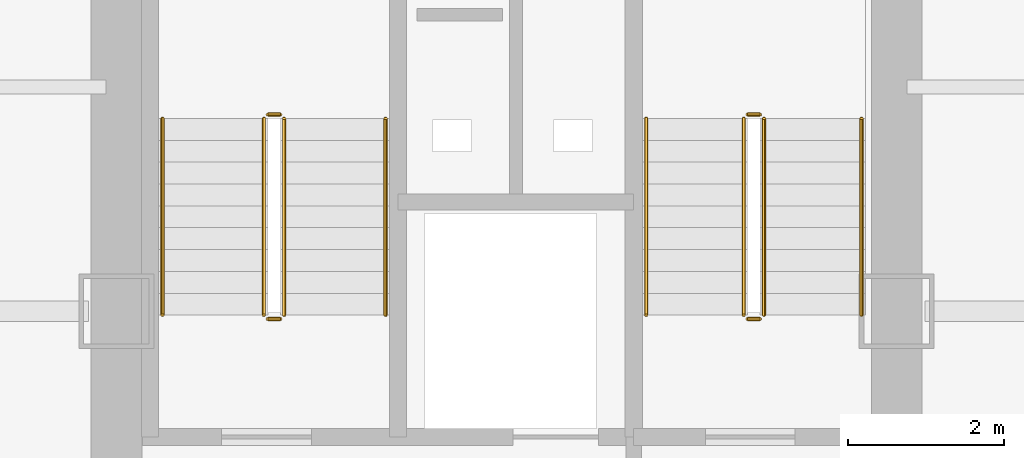
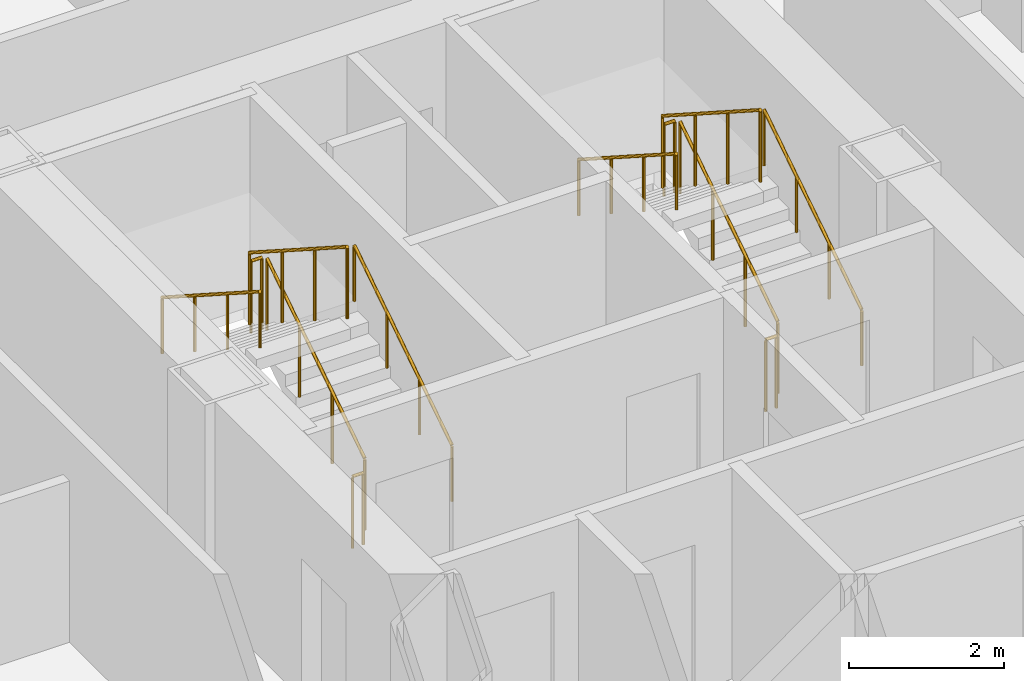
# One storey, part 20 of 21: 12 railings.
"""IFC4 building model written with IfcOpenShell, lengths in metres."""

from ifc_helpers import new_model, si_unit, direction, frame, origin, origin_2d, place, context, subcontext, project, spatial, circle, extrude, material, type_object, element, save


model = new_model("IFC4")

# Units and contexts
model_context = context("Model", 3, precision=1e-05, world=origin(), true_north=direction((0.0, 1.0)))
body_context = subcontext(model_context, "Body", "Model", "MODEL_VIEW")
ifc_project = project(units=[si_unit("LENGTHUNIT", "METRE"), si_unit("AREAUNIT", "SQUARE_METRE"), si_unit("VOLUMEUNIT", "CUBIC_METRE"), si_unit("PLANEANGLEUNIT", "RADIAN"), si_unit("MASSUNIT", "GRAM", prefix="KILO")], contexts=[model_context])

# Site, building, storey
site_placement = place(None, origin())
site = spatial("IfcSite", under=ifc_project, at=site_placement, CompositionType="ELEMENT")
building_placement = place(site_placement, origin())
building = spatial("IfcBuilding", under=site, at=building_placement, Name="Kolveth Station Tower", CompositionType="ELEMENT")
storey_placement = place(building_placement, frame((0.0, 0.0, 36.89990234375)))
storey = spatial("IfcBuildingStorey", under=building, at=storey_placement, Name="L09", CompositionType="ELEMENT", Elevation=36.89990234375)

# Railings
ifc_material_1 = material(Name="Painted Steel S355 balustrade", Category="steel")
railing_type_1 = type_object("IfcRailingType", Name="Guard_GR2", PredefinedType="BALUSTRADE", material=ifc_material_1)
railing_1_placement = place(storey_placement, frame((20.64990234375, 22.949951171875, 0.18017578125)))
element("IfcRailing", 1, at=railing_1_placement, inside=storey, type_object=railing_type_1, Name="L09 ST1 stair guard 1", PredefinedType="BALUSTRADE", context=body_context, shape_type="SweptSolid", body=[
    extrude(circle(Radius=0.02392578125, at=origin_2d()), frame((0.0, 0.0, 1.1259765625), z_axis=(0.0, 0.841199657755, 0.540724639528), x_axis=(-1.0, 0.0, 0.0)), (0.0, 0.0, 1.0), 2.995849609375),
    extrude(circle(Radius=0.02099609375, at=origin_2d()), origin(), (0.0, 0.0, 1.0), 1.101806640625),
    extrude(circle(Radius=0.02099609375, at=origin_2d()), frame((0.0, 0.840087890625, 0.5400390625)), (0.0, 0.0, 1.0), 1.101806640625),
    extrude(circle(Radius=0.02099609375, at=origin_2d()), frame((0.0, 1.679931640625, 1.079833984375)), (0.0, 0.0, 1.0), 1.101806640625),
    extrude(circle(Radius=0.02099609375, at=origin_2d()), frame((0.0, 2.52001953125, 1.619873046875)), (0.0, 0.0, 1.0), 1.101806640625),
])
railing_2_placement = place(storey_placement, frame((20.60009765625, 25.52001953125, 1.800048828125)))
element("IfcRailing", 2, at=railing_2_placement, inside=storey, type_object=railing_type_1, Name="L09 ST1 stair guard 2", PredefinedType="BALUSTRADE", context=body_context, shape_type="SweptSolid", body=[
    extrude(circle(Radius=0.02392578125, at=origin_2d()), frame((0.0, 0.0, 1.1259765625), z_axis=(-1.0, 0.0, 0.0), x_axis=(0.0, -1.0, 0.0)), (0.0, 0.0, 1.0), 0.16015625),
    extrude(circle(Radius=0.02099609375, at=origin_2d()), origin(), (0.0, 0.0, 1.0), 1.101806640625),
    extrude(circle(Radius=0.02099609375, at=origin_2d()), frame((-0.16015625, 0.0, 0.0)), (0.0, 0.0, 1.0), 1.101806640625),
])
railing_3_placement = place(storey_placement, frame((20.389892578125, 25.469970703125, 1.97998046875)))
element("IfcRailing", 3, at=railing_3_placement, inside=storey, type_object=railing_type_1, Name="L09 ST1 stair guard 3", PredefinedType="BALUSTRADE", context=body_context, shape_type="SweptSolid", body=[
    extrude(circle(Radius=0.02392578125, at=origin_2d()), frame((0.0, 0.0, 1.1259765625), z_axis=(0.0, -0.841162588446, 0.540782303519), x_axis=(1.0, 0.0, 0.0)), (0.0, 0.0, 1.0), 2.995849609375),
    extrude(circle(Radius=0.02099609375, at=origin_2d()), origin(), (0.0, 0.0, 1.0), 1.101806640625),
    extrude(circle(Radius=0.02099609375, at=origin_2d()), frame((0.0, -0.840087890625, 0.5400390625)), (0.0, 0.0, 1.0), 1.101806640625),
    extrude(circle(Radius=0.02099609375, at=origin_2d()), frame((0.0, -1.679931640625, 1.080078125)), (0.0, 0.0, 1.0), 1.101806640625),
    extrude(circle(Radius=0.02099609375, at=origin_2d()), frame((0.0, -2.52001953125, 1.6201171875)), (0.0, 0.0, 1.0), 1.101806640625),
])
railing_4_placement = place(storey_placement, frame((20.60009765625, 22.89990234375, 0.0)))
element("IfcRailing", 4, at=railing_4_placement, inside=storey, type_object=railing_type_1, Name="L09 ST1 stair guard 4", PredefinedType="BALUSTRADE", context=body_context, shape_type="SweptSolid", body=[
    extrude(circle(Radius=0.02392578125, at=origin_2d()), frame((0.0, 0.0, 1.1259765625), z_axis=(-1.0, 0.0, 0.0), x_axis=(0.0, -1.0, 0.0)), (0.0, 0.0, 1.0), 0.16015625),
    extrude(circle(Radius=0.02099609375, at=origin_2d()), origin(), (0.0, 0.0, 1.0), 1.101806640625),
    extrude(circle(Radius=0.02099609375, at=origin_2d()), frame((-0.16015625, 0.0, 0.0)), (0.0, 0.0, 1.0), 1.101806640625),
])
railing_5_placement = place(storey_placement, frame((26.800048828125, 22.949951171875, 0.18017578125)))
element("IfcRailing", 5, at=railing_5_placement, inside=storey, type_object=railing_type_1, Name="L09 ST2 stair guard 1", PredefinedType="BALUSTRADE", context=body_context, shape_type="SweptSolid", body=[
    extrude(circle(Radius=0.02392578125, at=origin_2d()), frame((0.0, 0.0, 1.1259765625), z_axis=(0.0, 0.841199657755, 0.540724639528), x_axis=(-1.0, 0.0, 0.0)), (0.0, 0.0, 1.0), 2.995849609375),
    extrude(circle(Radius=0.02099609375, at=origin_2d()), origin(), (0.0, 0.0, 1.0), 1.101806640625),
    extrude(circle(Radius=0.02099609375, at=origin_2d()), frame((0.0, 0.840087890625, 0.5400390625)), (0.0, 0.0, 1.0), 1.101806640625),
    extrude(circle(Radius=0.02099609375, at=origin_2d()), frame((0.0, 1.679931640625, 1.079833984375)), (0.0, 0.0, 1.0), 1.101806640625),
    extrude(circle(Radius=0.02099609375, at=origin_2d()), frame((0.0, 2.52001953125, 1.619873046875)), (0.0, 0.0, 1.0), 1.101806640625),
])
railing_6_placement = place(storey_placement, frame((26.75, 25.52001953125, 1.800048828125)))
element("IfcRailing", 6, at=railing_6_placement, inside=storey, type_object=railing_type_1, Name="L09 ST2 stair guard 2", PredefinedType="BALUSTRADE", context=body_context, shape_type="SweptSolid", body=[
    extrude(circle(Radius=0.02392578125, at=origin_2d()), frame((0.0, 0.0, 1.1259765625), z_axis=(-1.0, 0.0, 0.0), x_axis=(0.0, -1.0, 0.0)), (0.0, 0.0, 1.0), 0.159912109375),
    extrude(circle(Radius=0.02099609375, at=origin_2d()), origin(), (0.0, 0.0, 1.0), 1.101806640625),
    extrude(circle(Radius=0.02099609375, at=origin_2d()), frame((-0.159912109375, 0.0, 0.0)), (0.0, 0.0, 1.0), 1.101806640625),
])
railing_7_placement = place(storey_placement, frame((26.5400390625, 25.469970703125, 1.97998046875)))
element("IfcRailing", 7, at=railing_7_placement, inside=storey, type_object=railing_type_1, Name="L09 ST2 stair guard 3", PredefinedType="BALUSTRADE", context=body_context, shape_type="SweptSolid", body=[
    extrude(circle(Radius=0.02392578125, at=origin_2d()), frame((0.0, 0.0, 1.1259765625), z_axis=(0.0, -0.841162588446, 0.540782303519), x_axis=(1.0, 0.0, 0.0)), (0.0, 0.0, 1.0), 2.995849609375),
    extrude(circle(Radius=0.02099609375, at=origin_2d()), origin(), (0.0, 0.0, 1.0), 1.101806640625),
    extrude(circle(Radius=0.02099609375, at=origin_2d()), frame((0.0, -0.840087890625, 0.5400390625)), (0.0, 0.0, 1.0), 1.101806640625),
    extrude(circle(Radius=0.02099609375, at=origin_2d()), frame((0.0, -1.679931640625, 1.080078125)), (0.0, 0.0, 1.0), 1.101806640625),
    extrude(circle(Radius=0.02099609375, at=origin_2d()), frame((0.0, -2.52001953125, 1.6201171875)), (0.0, 0.0, 1.0), 1.101806640625),
])
railing_8_placement = place(storey_placement, frame((26.75, 22.89990234375, 0.0)))
element("IfcRailing", 8, at=railing_8_placement, inside=storey, type_object=railing_type_1, Name="L09 ST2 stair guard 4", PredefinedType="BALUSTRADE", context=body_context, shape_type="SweptSolid", body=[
    extrude(circle(Radius=0.02392578125, at=origin_2d()), frame((0.0, 0.0, 1.1259765625), z_axis=(-1.0, 0.0, 0.0), x_axis=(0.0, -1.0, 0.0)), (0.0, 0.0, 1.0), 0.159912109375),
    extrude(circle(Radius=0.02099609375, at=origin_2d()), origin(), (0.0, 0.0, 1.0), 1.101806640625),
    extrude(circle(Radius=0.02099609375, at=origin_2d()), frame((-0.159912109375, 0.0, 0.0)), (0.0, 0.0, 1.0), 1.101806640625),
])
ifc_material_2 = material(Name="Brushed stainless steel", Category="steel")
railing_type_2 = type_object("IfcRailingType", Name="Handrail_HR1", PredefinedType="HANDRAIL", material=ifc_material_2)
railing_9_placement = place(storey_placement, frame((21.949951171875, 22.949951171875, 0.18017578125)))
element("IfcRailing", 9, at=railing_9_placement, inside=storey, type_object=railing_type_2, Name="L09 ST1 stair handrail 1", PredefinedType="HANDRAIL", context=body_context, shape_type="SweptSolid", body=[
    extrude(circle(Radius=0.02392578125, at=origin_2d()), frame((0.0, 0.0, 0.8759765625), z_axis=(0.0, 0.841199657755, 0.540724639528), x_axis=(-1.0, 0.0, 0.0)), (0.0, 0.0, 1.0), 2.995849609375),
    extrude(circle(Radius=0.02099609375, at=origin_2d()), origin(), (0.0, 0.0, 1.0), 0.851806640625),
    extrude(circle(Radius=0.02099609375, at=origin_2d()), frame((0.0, 0.840087890625, 0.5400390625)), (0.0, 0.0, 1.0), 0.851806640625),
    extrude(circle(Radius=0.02099609375, at=origin_2d()), frame((0.0, 1.679931640625, 1.079833984375)), (0.0, 0.0, 1.0), 0.851806640625),
    extrude(circle(Radius=0.02099609375, at=origin_2d()), frame((0.0, 2.52001953125, 1.619873046875)), (0.0, 0.0, 1.0), 0.851806640625),
])
railing_10_placement = place(storey_placement, frame((19.090087890625, 25.469970703125, 1.97998046875)))
element("IfcRailing", 10, at=railing_10_placement, inside=storey, type_object=railing_type_2, Name="L09 ST1 stair handrail 2", PredefinedType="HANDRAIL", context=body_context, shape_type="SweptSolid", body=[
    extrude(circle(Radius=0.02392578125, at=origin_2d()), frame((0.0, 0.0, 0.8759765625), z_axis=(0.0, -0.841162588446, 0.540782303519), x_axis=(1.0, 0.0, 0.0)), (0.0, 0.0, 1.0), 2.995849609375),
    extrude(circle(Radius=0.02099609375, at=origin_2d()), origin(), (0.0, 0.0, 1.0), 0.851806640625),
    extrude(circle(Radius=0.02099609375, at=origin_2d()), frame((0.0, -0.840087890625, 0.5400390625)), (0.0, 0.0, 1.0), 0.851806640625),
    extrude(circle(Radius=0.02099609375, at=origin_2d()), frame((0.0, -1.679931640625, 1.080078125)), (0.0, 0.0, 1.0), 0.851806640625),
    extrude(circle(Radius=0.02099609375, at=origin_2d()), frame((0.0, -2.52001953125, 1.6201171875)), (0.0, 0.0, 1.0), 0.851806640625),
])
railing_11_placement = place(storey_placement, frame((28.050048828125, 22.949951171875, 0.18017578125)))
element("IfcRailing", 11, at=railing_11_placement, inside=storey, type_object=railing_type_2, Name="L09 ST2 stair handrail 1", PredefinedType="HANDRAIL", context=body_context, shape_type="SweptSolid", body=[
    extrude(circle(Radius=0.02392578125, at=origin_2d()), frame((0.0, 0.0, 0.8759765625), z_axis=(0.0, 0.841199657755, 0.540724639528), x_axis=(-1.0, 0.0, 0.0)), (0.0, 0.0, 1.0), 2.995849609375),
    extrude(circle(Radius=0.02099609375, at=origin_2d()), origin(), (0.0, 0.0, 1.0), 0.851806640625),
    extrude(circle(Radius=0.02099609375, at=origin_2d()), frame((0.0, 0.840087890625, 0.5400390625)), (0.0, 0.0, 1.0), 0.851806640625),
    extrude(circle(Radius=0.02099609375, at=origin_2d()), frame((0.0, 1.679931640625, 1.079833984375)), (0.0, 0.0, 1.0), 0.851806640625),
    extrude(circle(Radius=0.02099609375, at=origin_2d()), frame((0.0, 2.52001953125, 1.619873046875)), (0.0, 0.0, 1.0), 0.851806640625),
])
railing_12_placement = place(storey_placement, frame((25.2900390625, 25.469970703125, 1.97998046875)))
element("IfcRailing", 12, at=railing_12_placement, inside=storey, type_object=railing_type_2, Name="L09 ST2 stair handrail 2", PredefinedType="HANDRAIL", context=body_context, shape_type="SweptSolid", body=[
    extrude(circle(Radius=0.02392578125, at=origin_2d()), frame((0.0, 0.0, 0.8759765625), z_axis=(0.0, -0.841162588446, 0.540782303519), x_axis=(1.0, 0.0, 0.0)), (0.0, 0.0, 1.0), 2.995849609375),
    extrude(circle(Radius=0.02099609375, at=origin_2d()), origin(), (0.0, 0.0, 1.0), 0.851806640625),
    extrude(circle(Radius=0.02099609375, at=origin_2d()), frame((0.0, -0.840087890625, 0.5400390625)), (0.0, 0.0, 1.0), 0.851806640625),
    extrude(circle(Radius=0.02099609375, at=origin_2d()), frame((0.0, -1.679931640625, 1.080078125)), (0.0, 0.0, 1.0), 0.851806640625),
    extrude(circle(Radius=0.02099609375, at=origin_2d()), frame((0.0, -2.52001953125, 1.6201171875)), (0.0, 0.0, 1.0), 0.851806640625),
])

save(model, "model.ifc")
